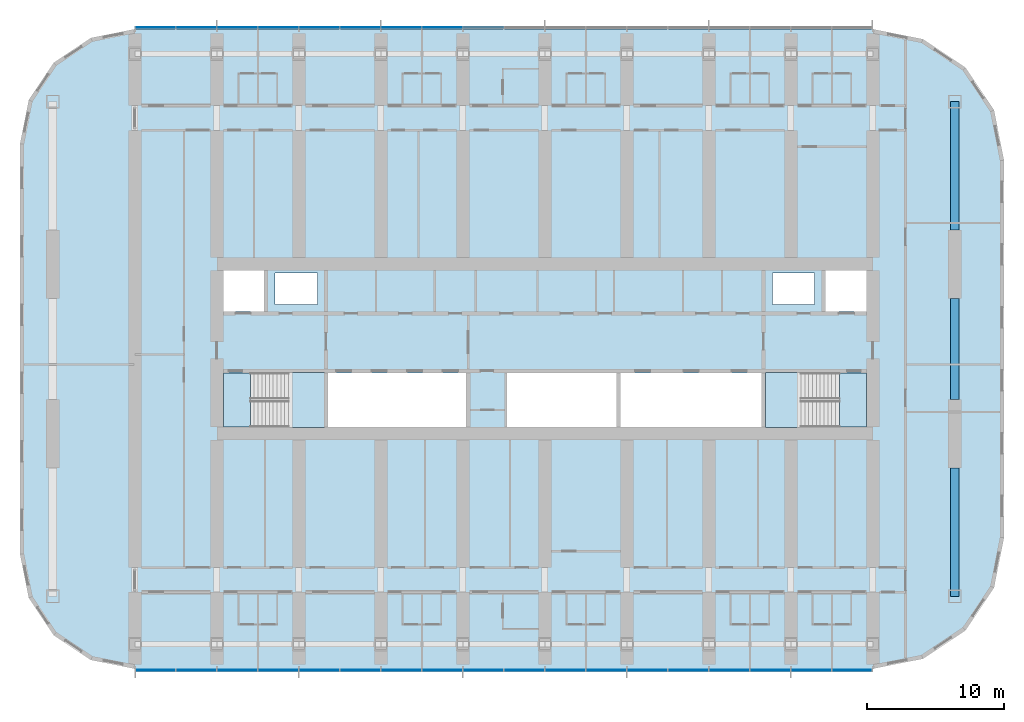
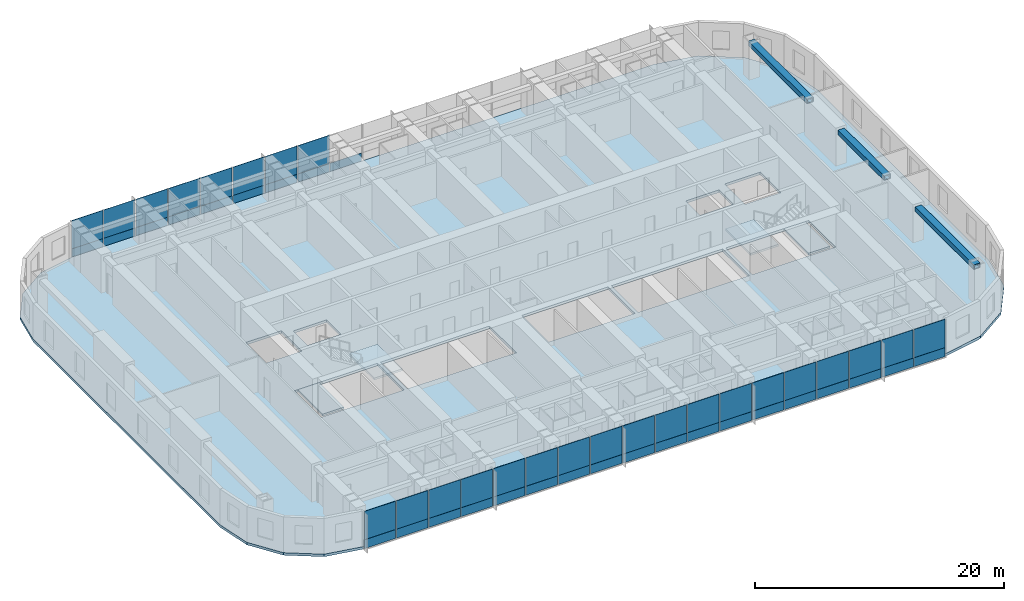
# One storey, part 6 of 21: 53 plates, 5 slabs, 3 beams, 4 elements without a shape of their own.
"""IFC4 building model written with IfcOpenShell, lengths in metres."""

from ifc_helpers import new_model, si_unit, direction, frame, origin, origin_2d, place, context, subcontext, project, spatial, polyline, rectangle, hollow_rectangle, outline, extrude, material, layer, layer_set, material_profile, profile_set, type_object, element, aggregate, save


model = new_model("IFC4")

# Units and contexts
model_context = context("Model", 3, precision=1e-05, world=origin(), true_north=direction((0.0, 1.0)))
body_context = subcontext(model_context, "Body", "Model", "MODEL_VIEW")
ifc_project = project(units=[si_unit("LENGTHUNIT", "METRE"), si_unit("AREAUNIT", "SQUARE_METRE"), si_unit("VOLUMEUNIT", "CUBIC_METRE"), si_unit("PLANEANGLEUNIT", "RADIAN"), si_unit("MASSUNIT", "GRAM", prefix="KILO")], contexts=[model_context])

# Site, building, storey
site_placement = place(None, origin())
site = spatial("IfcSite", under=ifc_project, at=site_placement, CompositionType="ELEMENT")
building_placement = place(site_placement, origin())
building = spatial("IfcBuilding", under=site, at=building_placement, Name="Orbita Commons", CompositionType="ELEMENT")
storey_placement = place(building_placement, frame((0.0, 0.0, 91.89990234375)))
storey = spatial("IfcBuildingStorey", under=building, at=storey_placement, Name="L22", CompositionType="ELEMENT", Elevation=91.89990234375)

# Beams
ifc_material_1 = material(Name="Steel ASTM A572 Gr 50 welded plate", Category="steel")
ifc_material_profile = material_profile(ifc_material_1, hollow_rectangle(XDim=0.60009765625, YDim=0.449951171875, WallThickness=0.06005859375, at=origin_2d()), Name="BOX 450x600x60")
ifc_profile_set = profile_set([ifc_material_profile], Name="Steel ASTM A572 Gr 50 welded plate")
beam_type = type_object("IfcBeamType", Name="Steel end frame link BOX 450x600x60", PredefinedType="BEAM", material=ifc_profile_set)
beam_1_placement = place(storey_placement, frame((72.0, 13.89990234375, 3.275146484375), z_axis=(0.0, 1.0, 0.0), x_axis=(-1.0, 0.0, 0.0)))
element("IfcBeam", 1, at=beam_1_placement, inside=storey, type_object=beam_type, Name="End frame beam 13 B-C L22", PredefinedType="BEAM", context=body_context, shape_type="SweptSolid", body=[
    extrude(hollow_rectangle(XDim=0.60009765625, YDim=0.449951171875, WallThickness=0.06005859375, at=origin_2d()), origin(), (0.0, 0.0, 1.0), 9.400146484375),
])
beam_2_placement = place(storey_placement, frame((72.0, 28.300048828125, 3.275146484375), z_axis=(0.0, 1.0, 0.0), x_axis=(-1.0, 0.0, 0.0)))
element("IfcBeam", 2, at=beam_2_placement, inside=storey, type_object=beam_type, Name="End frame beam 13 C-D L22", PredefinedType="BEAM", context=body_context, shape_type="SweptSolid", body=[
    extrude(hollow_rectangle(XDim=0.60009765625, YDim=0.449951171875, WallThickness=0.06005859375, at=origin_2d()), origin(), (0.0, 0.0, 1.0), 7.39990234375),
])
beam_3_placement = place(storey_placement, frame((72.0, 40.699951171875, 3.275146484375), z_axis=(0.0, 1.0, 0.0), x_axis=(-1.0, 0.0, 0.0)))
element("IfcBeam", 3, at=beam_3_placement, inside=storey, type_object=beam_type, Name="End frame beam 13 D-E L22", PredefinedType="BEAM", context=body_context, shape_type="SweptSolid", body=[
    extrude(hollow_rectangle(XDim=0.60009765625, YDim=0.449951171875, WallThickness=0.06005859375, at=origin_2d()), origin(), (0.0, 0.0, 1.0), 9.400146484375),
])

# Slab
ifc_material_2 = material(Name="Concrete C40/50", Category="concrete")
ifc_layer_1 = layer(ifc_material_2, 0.25)
ifc_layer_set_1 = layer_set([ifc_layer_1], Name="Concrete C40/50")
slab_type_1 = type_object("IfcSlabType", Name="Floor slab 250", PredefinedType="FLOOR", material=ifc_layer_set_1)
slab_1_placement = place(storey_placement, frame((0.0, 0.0, -0.25)))
element("IfcSlab", 4, at=slab_1_placement, inside=storey, type_object=slab_type_1, Name="Floor slab L22", PredefinedType="FLOOR", context=body_context, shape_type="SweptSolid", body=[
    extrude(outline(polyline([(66.0, 8.60009765625), (69.673828125, 9.330810546875), (72.788330078125, 11.411865234375), (74.869140625, 14.526123046875), (75.60009765625, 18.199951171875), (75.60009765625, 45.800048828125), (74.869140625, 49.473876953125), (72.788330078125, 52.588134765625), (69.673828125, 54.669189453125), (66.0, 55.39990234375), (12.0, 55.39990234375), (8.785400390625, 54.760498046875), (6.060302734375, 52.939697265625), (4.239501953125, 50.214599609375), (3.60009765625, 47.0), (3.60009765625, 17.0), (4.239501953125, 13.785400390625), (6.060302734375, 11.060302734375), (8.785400390625, 9.239501953125), (12.0, 8.60009765625), (66.0, 8.60009765625)]), holes=[polyline([(18.14990234375, 25.949951171875), (25.85009765625, 25.949951171875), (25.85009765625, 30.25), (18.14990234375, 30.25), (18.14990234375, 25.949951171875)]), polyline([(58.14990234375, 25.949951171875), (65.85009765625, 25.949951171875), (65.85009765625, 30.25), (58.14990234375, 30.25), (58.14990234375, 25.949951171875)]), polyline([(18.14990234375, 34.75), (21.449951171875, 34.75), (21.449951171875, 38.050048828125), (18.14990234375, 38.050048828125), (18.14990234375, 34.75)]), polyline([(62.550048828125, 34.75), (65.85009765625, 34.75), (65.85009765625, 38.050048828125), (62.550048828125, 38.050048828125), (62.550048828125, 34.75)]), polyline([(22.25, 35.25), (25.35009765625, 35.25), (25.35009765625, 37.550048828125), (22.25, 37.550048828125), (22.25, 35.25)]), polyline([(58.64990234375, 35.25), (61.75, 35.25), (61.75, 37.550048828125), (58.64990234375, 37.550048828125), (58.64990234375, 35.25)]), polyline([(26.14990234375, 25.949951171875), (36.25, 25.949951171875), (36.25, 30.25), (26.14990234375, 30.25), (26.14990234375, 25.949951171875)]), polyline([(39.25, 25.949951171875), (47.25, 25.949951171875), (47.25, 30.25), (39.25, 30.25), (39.25, 25.949951171875)]), polyline([(47.550048828125, 25.949951171875), (57.85009765625, 25.949951171875), (57.85009765625, 30.25), (47.550048828125, 30.25), (47.550048828125, 25.949951171875)])]), origin(), (0.0, 0.0, 1.0), 0.25),
])

# Curtain wall, plates
ifc_material_3 = material(Name="Anodised aluminium frame, pale silver", Category="aluminium")
curtain_wall_type = type_object("IfcCurtainWallType", Name="Unitised curtain wall CW-T, vision and spandrel", PredefinedType="NOTDEFINED", material=ifc_material_3)
curtain_wall_1_placement = place(storey_placement, origin())
curtain_wall_1 = element("IfcCurtainWall", 5, at=curtain_wall_1_placement, inside=storey, type_object=curtain_wall_type, Name="Curtain wall south L22", PredefinedType="NOTDEFINED")
ifc_material_4 = material(Name="Anodised aluminium sheet on mineral wool", Category="aluminium")
ifc_layer_2 = layer(ifc_material_4, 0.050048828125)
ifc_layer_set_2 = layer_set([ifc_layer_2], Name="Anodised aluminium sheet on mineral wool")
plate_type_1 = type_object("IfcPlateType", Name="Spandrel panel, pale aluminium over insulation 50", PredefinedType="CURTAIN_PANEL", material=ifc_layer_set_2)
plate_1_placement = place(storey_placement, frame((13.52001953125, 8.489990234375, -0.14990234375), z_axis=(0.0, 0.0, 1.0), x_axis=(1.0, 0.0, 0.0)))
plate_1 = element("IfcPlate", 6, at=plate_1_placement, type_object=plate_type_1, Name="Panel 1.1 CW-L22-S", PredefinedType="CURTAIN_PANEL", context=body_context, shape_type="SweptSolid", body=[
    extrude(rectangle(XDim=2.8798828125, YDim=0.050048828125, at=origin_2d()), origin(), (0.0, 0.0, 1.0), 0.875),
])
plate_2_placement = place(storey_placement, frame((16.5, 8.489990234375, -0.14990234375), z_axis=(0.0, 0.0, 1.0), x_axis=(1.0, 0.0, 0.0)))
plate_2 = element("IfcPlate", 7, at=plate_2_placement, type_object=plate_type_1, Name="Panel 2.1 CW-L22-S", PredefinedType="CURTAIN_PANEL", context=body_context, shape_type="SweptSolid", body=[
    extrude(rectangle(XDim=2.919921875, YDim=0.050048828125, at=origin_2d()), origin(), (0.0, 0.0, 1.0), 0.875),
])
plate_3_placement = place(storey_placement, frame((19.5, 8.489990234375, -0.14990234375), z_axis=(0.0, 0.0, 1.0), x_axis=(1.0, 0.0, 0.0)))
plate_3 = element("IfcPlate", 8, at=plate_3_placement, type_object=plate_type_1, Name="Panel 3.1 CW-L22-S", PredefinedType="CURTAIN_PANEL", context=body_context, shape_type="SweptSolid", body=[
    extrude(rectangle(XDim=2.919921875, YDim=0.050048828125, at=origin_2d()), origin(), (0.0, 0.0, 1.0), 0.875),
])
plate_4_placement = place(storey_placement, frame((22.5, 8.489990234375, -0.14990234375), z_axis=(0.0, 0.0, 1.0), x_axis=(1.0, 0.0, 0.0)))
plate_4 = element("IfcPlate", 9, at=plate_4_placement, type_object=plate_type_1, Name="Panel 4.1 CW-L22-S", PredefinedType="CURTAIN_PANEL", context=body_context, shape_type="SweptSolid", body=[
    extrude(rectangle(XDim=2.919921875, YDim=0.050048828125, at=origin_2d()), origin(), (0.0, 0.0, 1.0), 0.875),
])
plate_5_placement = place(storey_placement, frame((25.5, 8.489990234375, -0.14990234375), z_axis=(0.0, 0.0, 1.0), x_axis=(1.0, 0.0, 0.0)))
plate_5 = element("IfcPlate", 10, at=plate_5_placement, type_object=plate_type_1, Name="Panel 5.1 CW-L22-S", PredefinedType="CURTAIN_PANEL", context=body_context, shape_type="SweptSolid", body=[
    extrude(rectangle(XDim=2.919921875, YDim=0.050048828125, at=origin_2d()), origin(), (0.0, 0.0, 1.0), 0.875),
])
plate_6_placement = place(storey_placement, frame((28.5, 8.489990234375, -0.14990234375), z_axis=(0.0, 0.0, 1.0), x_axis=(1.0, 0.0, 0.0)))
plate_6 = element("IfcPlate", 11, at=plate_6_placement, type_object=plate_type_1, Name="Panel 6.1 CW-L22-S", PredefinedType="CURTAIN_PANEL", context=body_context, shape_type="SweptSolid", body=[
    extrude(rectangle(XDim=2.919921875, YDim=0.050048828125, at=origin_2d()), origin(), (0.0, 0.0, 1.0), 0.875),
])
plate_7_placement = place(storey_placement, frame((31.5, 8.489990234375, -0.14990234375), z_axis=(0.0, 0.0, 1.0), x_axis=(1.0, 0.0, 0.0)))
plate_7 = element("IfcPlate", 12, at=plate_7_placement, type_object=plate_type_1, Name="Panel 7.1 CW-L22-S", PredefinedType="CURTAIN_PANEL", context=body_context, shape_type="SweptSolid", body=[
    extrude(rectangle(XDim=2.919921875, YDim=0.050048828125, at=origin_2d()), origin(), (0.0, 0.0, 1.0), 0.875),
])
plate_8_placement = place(storey_placement, frame((34.5, 8.489990234375, -0.14990234375), z_axis=(0.0, 0.0, 1.0), x_axis=(1.0, 0.0, 0.0)))
plate_8 = element("IfcPlate", 13, at=plate_8_placement, type_object=plate_type_1, Name="Panel 8.1 CW-L22-S", PredefinedType="CURTAIN_PANEL", context=body_context, shape_type="SweptSolid", body=[
    extrude(rectangle(XDim=2.919921875, YDim=0.050048828125, at=origin_2d()), origin(), (0.0, 0.0, 1.0), 0.875),
])
plate_9_placement = place(storey_placement, frame((37.5, 8.489990234375, -0.14990234375), z_axis=(0.0, 0.0, 1.0), x_axis=(1.0, 0.0, 0.0)))
plate_9 = element("IfcPlate", 14, at=plate_9_placement, type_object=plate_type_1, Name="Panel 9.1 CW-L22-S", PredefinedType="CURTAIN_PANEL", context=body_context, shape_type="SweptSolid", body=[
    extrude(rectangle(XDim=2.919921875, YDim=0.050048828125, at=origin_2d()), origin(), (0.0, 0.0, 1.0), 0.875),
])
plate_10_placement = place(storey_placement, frame((40.5, 8.489990234375, -0.14990234375), z_axis=(0.0, 0.0, 1.0), x_axis=(1.0, 0.0, 0.0)))
plate_10 = element("IfcPlate", 15, at=plate_10_placement, type_object=plate_type_1, Name="Panel 10.1 CW-L22-S", PredefinedType="CURTAIN_PANEL", context=body_context, shape_type="SweptSolid", body=[
    extrude(rectangle(XDim=2.919921875, YDim=0.050048828125, at=origin_2d()), origin(), (0.0, 0.0, 1.0), 0.875),
])
plate_11_placement = place(storey_placement, frame((43.5, 8.489990234375, -0.14990234375), z_axis=(0.0, 0.0, 1.0), x_axis=(1.0, 0.0, 0.0)))
plate_11 = element("IfcPlate", 16, at=plate_11_placement, type_object=plate_type_1, Name="Panel 11.1 CW-L22-S", PredefinedType="CURTAIN_PANEL", context=body_context, shape_type="SweptSolid", body=[
    extrude(rectangle(XDim=2.919921875, YDim=0.050048828125, at=origin_2d()), origin(), (0.0, 0.0, 1.0), 0.875),
])
plate_12_placement = place(storey_placement, frame((46.5, 8.489990234375, -0.14990234375), z_axis=(0.0, 0.0, 1.0), x_axis=(1.0, 0.0, 0.0)))
plate_12 = element("IfcPlate", 17, at=plate_12_placement, type_object=plate_type_1, Name="Panel 12.1 CW-L22-S", PredefinedType="CURTAIN_PANEL", context=body_context, shape_type="SweptSolid", body=[
    extrude(rectangle(XDim=2.919921875, YDim=0.050048828125, at=origin_2d()), origin(), (0.0, 0.0, 1.0), 0.875),
])
plate_13_placement = place(storey_placement, frame((49.5, 8.489990234375, -0.14990234375), z_axis=(0.0, 0.0, 1.0), x_axis=(1.0, 0.0, 0.0)))
plate_13 = element("IfcPlate", 18, at=plate_13_placement, type_object=plate_type_1, Name="Panel 13.1 CW-L22-S", PredefinedType="CURTAIN_PANEL", context=body_context, shape_type="SweptSolid", body=[
    extrude(rectangle(XDim=2.919921875, YDim=0.050048828125, at=origin_2d()), origin(), (0.0, 0.0, 1.0), 0.875),
])
plate_14_placement = place(storey_placement, frame((52.5, 8.489990234375, -0.14990234375), z_axis=(0.0, 0.0, 1.0), x_axis=(1.0, 0.0, 0.0)))
plate_14 = element("IfcPlate", 19, at=plate_14_placement, type_object=plate_type_1, Name="Panel 14.1 CW-L22-S", PredefinedType="CURTAIN_PANEL", context=body_context, shape_type="SweptSolid", body=[
    extrude(rectangle(XDim=2.919921875, YDim=0.050048828125, at=origin_2d()), origin(), (0.0, 0.0, 1.0), 0.875),
])
plate_15_placement = place(storey_placement, frame((55.5, 8.489990234375, -0.14990234375), z_axis=(0.0, 0.0, 1.0), x_axis=(1.0, 0.0, 0.0)))
plate_15 = element("IfcPlate", 20, at=plate_15_placement, type_object=plate_type_1, Name="Panel 15.1 CW-L22-S", PredefinedType="CURTAIN_PANEL", context=body_context, shape_type="SweptSolid", body=[
    extrude(rectangle(XDim=2.919921875, YDim=0.050048828125, at=origin_2d()), origin(), (0.0, 0.0, 1.0), 0.875),
])
plate_16_placement = place(storey_placement, frame((58.5, 8.489990234375, -0.14990234375), z_axis=(0.0, 0.0, 1.0), x_axis=(1.0, 0.0, 0.0)))
plate_16 = element("IfcPlate", 21, at=plate_16_placement, type_object=plate_type_1, Name="Panel 16.1 CW-L22-S", PredefinedType="CURTAIN_PANEL", context=body_context, shape_type="SweptSolid", body=[
    extrude(rectangle(XDim=2.919921875, YDim=0.050048828125, at=origin_2d()), origin(), (0.0, 0.0, 1.0), 0.875),
])
plate_17_placement = place(storey_placement, frame((61.5, 8.489990234375, -0.14990234375), z_axis=(0.0, 0.0, 1.0), x_axis=(1.0, 0.0, 0.0)))
plate_17 = element("IfcPlate", 22, at=plate_17_placement, type_object=plate_type_1, Name="Panel 17.1 CW-L22-S", PredefinedType="CURTAIN_PANEL", context=body_context, shape_type="SweptSolid", body=[
    extrude(rectangle(XDim=2.919921875, YDim=0.050048828125, at=origin_2d()), origin(), (0.0, 0.0, 1.0), 0.875),
])
plate_18_placement = place(storey_placement, frame((64.47998046875, 8.489990234375, -0.14990234375), z_axis=(0.0, 0.0, 1.0), x_axis=(1.0, 0.0, 0.0)))
plate_18 = element("IfcPlate", 23, at=plate_18_placement, type_object=plate_type_1, Name="Panel 18.1 CW-L22-S", PredefinedType="CURTAIN_PANEL", context=body_context, shape_type="SweptSolid", body=[
    extrude(rectangle(XDim=2.8798828125, YDim=0.050048828125, at=origin_2d()), origin(), (0.0, 0.0, 1.0), 0.875),
])

curtain_wall_2_placement = place(storey_placement, origin())
curtain_wall_2 = element("IfcCurtainWall", 24, at=curtain_wall_2_placement, inside=storey, type_object=curtain_wall_type, Name="Curtain wall north L22", PredefinedType="NOTDEFINED")
plate_19_placement = place(storey_placement, frame((37.5, 55.510009765625, -0.14990234375), z_axis=(0.0, 0.0, 1.0), x_axis=(-1.0, 0.0, 0.0)))
plate_19 = element("IfcPlate", 25, at=plate_19_placement, type_object=plate_type_1, Name="Panel 10.1 CW-L22-N", PredefinedType="CURTAIN_PANEL", context=body_context, shape_type="SweptSolid", body=[
    extrude(rectangle(XDim=2.919921875, YDim=0.050048828125, at=origin_2d()), origin(), (0.0, 0.0, 1.0), 0.875),
])
plate_20_placement = place(storey_placement, frame((34.5, 55.510009765625, -0.14990234375), z_axis=(0.0, 0.0, 1.0), x_axis=(-1.0, 0.0, 0.0)))
plate_20 = element("IfcPlate", 26, at=plate_20_placement, type_object=plate_type_1, Name="Panel 11.1 CW-L22-N", PredefinedType="CURTAIN_PANEL", context=body_context, shape_type="SweptSolid", body=[
    extrude(rectangle(XDim=2.919921875, YDim=0.050048828125, at=origin_2d()), origin(), (0.0, 0.0, 1.0), 0.875),
])
plate_21_placement = place(storey_placement, frame((31.5, 55.510009765625, -0.14990234375), z_axis=(0.0, 0.0, 1.0), x_axis=(-1.0, 0.0, 0.0)))
plate_21 = element("IfcPlate", 27, at=plate_21_placement, type_object=plate_type_1, Name="Panel 12.1 CW-L22-N", PredefinedType="CURTAIN_PANEL", context=body_context, shape_type="SweptSolid", body=[
    extrude(rectangle(XDim=2.919921875, YDim=0.050048828125, at=origin_2d()), origin(), (0.0, 0.0, 1.0), 0.875),
])
plate_22_placement = place(storey_placement, frame((28.5, 55.510009765625, -0.14990234375), z_axis=(0.0, 0.0, 1.0), x_axis=(-1.0, 0.0, 0.0)))
plate_22 = element("IfcPlate", 28, at=plate_22_placement, type_object=plate_type_1, Name="Panel 13.1 CW-L22-N", PredefinedType="CURTAIN_PANEL", context=body_context, shape_type="SweptSolid", body=[
    extrude(rectangle(XDim=2.919921875, YDim=0.050048828125, at=origin_2d()), origin(), (0.0, 0.0, 1.0), 0.875),
])
plate_23_placement = place(storey_placement, frame((25.5, 55.510009765625, -0.14990234375), z_axis=(0.0, 0.0, 1.0), x_axis=(-1.0, 0.0, 0.0)))
plate_23 = element("IfcPlate", 29, at=plate_23_placement, type_object=plate_type_1, Name="Panel 14.1 CW-L22-N", PredefinedType="CURTAIN_PANEL", context=body_context, shape_type="SweptSolid", body=[
    extrude(rectangle(XDim=2.919921875, YDim=0.050048828125, at=origin_2d()), origin(), (0.0, 0.0, 1.0), 0.875),
])
plate_24_placement = place(storey_placement, frame((22.5, 55.510009765625, -0.14990234375), z_axis=(0.0, 0.0, 1.0), x_axis=(-1.0, 0.0, 0.0)))
plate_24 = element("IfcPlate", 30, at=plate_24_placement, type_object=plate_type_1, Name="Panel 15.1 CW-L22-N", PredefinedType="CURTAIN_PANEL", context=body_context, shape_type="SweptSolid", body=[
    extrude(rectangle(XDim=2.919921875, YDim=0.050048828125, at=origin_2d()), origin(), (0.0, 0.0, 1.0), 0.875),
])
plate_25_placement = place(storey_placement, frame((19.5, 55.510009765625, -0.14990234375), z_axis=(0.0, 0.0, 1.0), x_axis=(-1.0, 0.0, 0.0)))
plate_25 = element("IfcPlate", 31, at=plate_25_placement, type_object=plate_type_1, Name="Panel 16.1 CW-L22-N", PredefinedType="CURTAIN_PANEL", context=body_context, shape_type="SweptSolid", body=[
    extrude(rectangle(XDim=2.919921875, YDim=0.050048828125, at=origin_2d()), origin(), (0.0, 0.0, 1.0), 0.875),
])
plate_26_placement = place(storey_placement, frame((16.5, 55.510009765625, -0.14990234375), z_axis=(0.0, 0.0, 1.0), x_axis=(-1.0, 0.0, 0.0)))
plate_26 = element("IfcPlate", 32, at=plate_26_placement, type_object=plate_type_1, Name="Panel 17.1 CW-L22-N", PredefinedType="CURTAIN_PANEL", context=body_context, shape_type="SweptSolid", body=[
    extrude(rectangle(XDim=2.919921875, YDim=0.050048828125, at=origin_2d()), origin(), (0.0, 0.0, 1.0), 0.875),
])
plate_27_placement = place(storey_placement, frame((13.52001953125, 55.510009765625, -0.14990234375), z_axis=(0.0, 0.0, 1.0), x_axis=(-1.0, 0.0, 0.0)))
plate_27 = element("IfcPlate", 33, at=plate_27_placement, type_object=plate_type_1, Name="Panel 18.1 CW-L22-N", PredefinedType="CURTAIN_PANEL", context=body_context, shape_type="SweptSolid", body=[
    extrude(rectangle(XDim=2.8798828125, YDim=0.050048828125, at=origin_2d()), origin(), (0.0, 0.0, 1.0), 0.875),
])

# Stair, slabs
ifc_material_5 = material(Name="Precast concrete C40/50", Category="concrete")
stair_type_1 = type_object("IfcStairType", Name="Exit stair S1 2 flights 11 risers 170", PredefinedType="HALF_TURN_STAIR", material=ifc_material_5)
stair_1_placement = place(storey_placement, origin())
stair_1 = element("IfcStair", 34, at=stair_1_placement, inside=storey, type_object=stair_type_1, Name="Exit stair S1 L22", PredefinedType="HALF_TURN_STAIR")
ifc_material_6 = material(Name="Concrete C40/50", Category="concrete")
ifc_layer_3 = layer(ifc_material_6, 0.199951171875)
ifc_layer_set_3 = layer_set([ifc_layer_3], Name="Concrete C40/50")
slab_type_2 = type_object("IfcSlabType", Name="Stair landing 200", PredefinedType="LANDING", material=ifc_layer_set_3)
slab_2_placement = place(storey_placement, frame((0.0, 0.0, -0.199951171875)))
slab_2 = element("IfcSlab", 35, at=slab_2_placement, type_object=slab_type_2, Name="S1 landing 1", PredefinedType="LANDING", context=body_context, shape_type="SweptSolid", body=[
    extrude(outline(polyline([(18.47509765625, 26.27490234375), (20.449951171875, 26.27490234375), (20.449951171875, 30.25), (18.47509765625, 30.25), (18.47509765625, 26.27490234375)])), origin(), (0.0, 0.0, 1.0), 0.199951171875),
])
slab_3_placement = place(storey_placement, frame((0.0, 0.0, 1.675048828125)))
slab_3 = element("IfcSlab", 36, at=slab_3_placement, type_object=slab_type_2, Name="S1 landing 2", PredefinedType="LANDING", context=body_context, shape_type="SweptSolid", body=[
    extrude(outline(polyline([(23.25, 26.260009765625), (25.864990234375, 26.260009765625), (25.864990234375, 30.264892578125), (23.25, 30.264892578125), (23.25, 26.260009765625)])), origin(), (0.0, 0.0, 1.0), 0.199951171875),
])
aggregate(stair_1, [slab_2, slab_3])

ifc_material_7 = material(Name="Precast concrete C40/50", Category="concrete")
stair_type_2 = type_object("IfcStairType", Name="Exit stair S2 2 flights 11 risers 170", PredefinedType="HALF_TURN_STAIR", material=ifc_material_7)
stair_2_placement = place(storey_placement, origin())
stair_2 = element("IfcStair", 37, at=stair_2_placement, inside=storey, type_object=stair_type_2, Name="Exit stair S2 L22", PredefinedType="HALF_TURN_STAIR")
slab_4_placement = place(storey_placement, frame((0.0, 0.0, -0.199951171875)))
slab_4 = element("IfcSlab", 38, at=slab_4_placement, type_object=slab_type_2, Name="S2 landing 1", PredefinedType="LANDING", context=body_context, shape_type="SweptSolid", body=[
    extrude(outline(polyline([(63.550048828125, 26.27490234375), (65.52490234375, 26.27490234375), (65.52490234375, 30.25), (63.550048828125, 30.25), (63.550048828125, 26.27490234375)])), origin(), (0.0, 0.0, 1.0), 0.199951171875),
])
slab_5_placement = place(storey_placement, frame((0.0, 0.0, 1.675048828125)))
slab_5 = element("IfcSlab", 39, at=slab_5_placement, type_object=slab_type_2, Name="S2 landing 2", PredefinedType="LANDING", context=body_context, shape_type="SweptSolid", body=[
    extrude(outline(polyline([(58.135009765625, 26.260009765625), (60.75, 26.260009765625), (60.75, 30.264892578125), (58.135009765625, 30.264892578125), (58.135009765625, 26.260009765625)])), origin(), (0.0, 0.0, 1.0), 0.199951171875),
])
aggregate(stair_2, [slab_4, slab_5])

# Plate
ifc_material_8 = material(Name="Clear double glazing", Category="glass")
ifc_layer_4 = layer(ifc_material_8, 0.031982421875)
ifc_layer_set_4 = layer_set([ifc_layer_4], Name="Clear double glazing")
plate_type_2 = type_object("IfcPlateType", Name="Vision panel, clear double glazing 32", PredefinedType="CURTAIN_PANEL", material=ifc_layer_set_4)
plate_28_placement = place(storey_placement, frame((13.52001953125, 8.489990234375, 0.72509765625), z_axis=(0.0, 0.0, 1.0), x_axis=(1.0, 0.0, 0.0)))
plate_28 = element("IfcPlate", 40, at=plate_28_placement, type_object=plate_type_2, Name="Panel 1.2 CW-L22-S", PredefinedType="CURTAIN_PANEL", context=body_context, shape_type="SweptSolid", body=[
    extrude(rectangle(XDim=2.8798828125, YDim=0.031982421875, at=origin_2d()), origin(), (0.0, 0.0, 1.0), 2.77490234375),
])

plate_29_placement = place(storey_placement, frame((16.5, 8.489990234375, 0.72509765625), z_axis=(0.0, 0.0, 1.0), x_axis=(1.0, 0.0, 0.0)))
plate_29 = element("IfcPlate", 41, at=plate_29_placement, type_object=plate_type_2, Name="Panel 2.2 CW-L22-S", PredefinedType="CURTAIN_PANEL", context=body_context, shape_type="SweptSolid", body=[
    extrude(rectangle(XDim=2.919921875, YDim=0.031982421875, at=origin_2d()), origin(), (0.0, 0.0, 1.0), 2.77490234375),
])

plate_30_placement = place(storey_placement, frame((19.5, 8.489990234375, 0.72509765625), z_axis=(0.0, 0.0, 1.0), x_axis=(1.0, 0.0, 0.0)))
plate_30 = element("IfcPlate", 42, at=plate_30_placement, type_object=plate_type_2, Name="Panel 3.2 CW-L22-S", PredefinedType="CURTAIN_PANEL", context=body_context, shape_type="SweptSolid", body=[
    extrude(rectangle(XDim=2.919921875, YDim=0.031982421875, at=origin_2d()), origin(), (0.0, 0.0, 1.0), 2.77490234375),
])

plate_31_placement = place(storey_placement, frame((22.5, 8.489990234375, 0.72509765625), z_axis=(0.0, 0.0, 1.0), x_axis=(1.0, 0.0, 0.0)))
plate_31 = element("IfcPlate", 43, at=plate_31_placement, type_object=plate_type_2, Name="Panel 4.2 CW-L22-S", PredefinedType="CURTAIN_PANEL", context=body_context, shape_type="SweptSolid", body=[
    extrude(rectangle(XDim=2.919921875, YDim=0.031982421875, at=origin_2d()), origin(), (0.0, 0.0, 1.0), 2.77490234375),
])

plate_32_placement = place(storey_placement, frame((25.5, 8.489990234375, 0.72509765625), z_axis=(0.0, 0.0, 1.0), x_axis=(1.0, 0.0, 0.0)))
plate_32 = element("IfcPlate", 44, at=plate_32_placement, type_object=plate_type_2, Name="Panel 5.2 CW-L22-S", PredefinedType="CURTAIN_PANEL", context=body_context, shape_type="SweptSolid", body=[
    extrude(rectangle(XDim=2.919921875, YDim=0.031982421875, at=origin_2d()), origin(), (0.0, 0.0, 1.0), 2.77490234375),
])

plate_33_placement = place(storey_placement, frame((28.5, 8.489990234375, 0.72509765625), z_axis=(0.0, 0.0, 1.0), x_axis=(1.0, 0.0, 0.0)))
plate_33 = element("IfcPlate", 45, at=plate_33_placement, type_object=plate_type_2, Name="Panel 6.2 CW-L22-S", PredefinedType="CURTAIN_PANEL", context=body_context, shape_type="SweptSolid", body=[
    extrude(rectangle(XDim=2.919921875, YDim=0.031982421875, at=origin_2d()), origin(), (0.0, 0.0, 1.0), 2.77490234375),
])

plate_34_placement = place(storey_placement, frame((31.5, 8.489990234375, 0.72509765625), z_axis=(0.0, 0.0, 1.0), x_axis=(1.0, 0.0, 0.0)))
plate_34 = element("IfcPlate", 46, at=plate_34_placement, type_object=plate_type_2, Name="Panel 7.2 CW-L22-S", PredefinedType="CURTAIN_PANEL", context=body_context, shape_type="SweptSolid", body=[
    extrude(rectangle(XDim=2.919921875, YDim=0.031982421875, at=origin_2d()), origin(), (0.0, 0.0, 1.0), 2.77490234375),
])

plate_35_placement = place(storey_placement, frame((34.5, 8.489990234375, 0.72509765625), z_axis=(0.0, 0.0, 1.0), x_axis=(1.0, 0.0, 0.0)))
plate_35 = element("IfcPlate", 47, at=plate_35_placement, type_object=plate_type_2, Name="Panel 8.2 CW-L22-S", PredefinedType="CURTAIN_PANEL", context=body_context, shape_type="SweptSolid", body=[
    extrude(rectangle(XDim=2.919921875, YDim=0.031982421875, at=origin_2d()), origin(), (0.0, 0.0, 1.0), 2.77490234375),
])

plate_36_placement = place(storey_placement, frame((37.5, 8.489990234375, 0.72509765625), z_axis=(0.0, 0.0, 1.0), x_axis=(1.0, 0.0, 0.0)))
plate_36 = element("IfcPlate", 48, at=plate_36_placement, type_object=plate_type_2, Name="Panel 9.2 CW-L22-S", PredefinedType="CURTAIN_PANEL", context=body_context, shape_type="SweptSolid", body=[
    extrude(rectangle(XDim=2.919921875, YDim=0.031982421875, at=origin_2d()), origin(), (0.0, 0.0, 1.0), 2.77490234375),
])

plate_37_placement = place(storey_placement, frame((40.5, 8.489990234375, 0.72509765625), z_axis=(0.0, 0.0, 1.0), x_axis=(1.0, 0.0, 0.0)))
plate_37 = element("IfcPlate", 49, at=plate_37_placement, type_object=plate_type_2, Name="Panel 10.2 CW-L22-S", PredefinedType="CURTAIN_PANEL", context=body_context, shape_type="SweptSolid", body=[
    extrude(rectangle(XDim=2.919921875, YDim=0.031982421875, at=origin_2d()), origin(), (0.0, 0.0, 1.0), 2.77490234375),
])

plate_38_placement = place(storey_placement, frame((43.5, 8.489990234375, 0.72509765625), z_axis=(0.0, 0.0, 1.0), x_axis=(1.0, 0.0, 0.0)))
plate_38 = element("IfcPlate", 50, at=plate_38_placement, type_object=plate_type_2, Name="Panel 11.2 CW-L22-S", PredefinedType="CURTAIN_PANEL", context=body_context, shape_type="SweptSolid", body=[
    extrude(rectangle(XDim=2.919921875, YDim=0.031982421875, at=origin_2d()), origin(), (0.0, 0.0, 1.0), 2.77490234375),
])

plate_39_placement = place(storey_placement, frame((46.5, 8.489990234375, 0.72509765625), z_axis=(0.0, 0.0, 1.0), x_axis=(1.0, 0.0, 0.0)))
plate_39 = element("IfcPlate", 51, at=plate_39_placement, type_object=plate_type_2, Name="Panel 12.2 CW-L22-S", PredefinedType="CURTAIN_PANEL", context=body_context, shape_type="SweptSolid", body=[
    extrude(rectangle(XDim=2.919921875, YDim=0.031982421875, at=origin_2d()), origin(), (0.0, 0.0, 1.0), 2.77490234375),
])

plate_40_placement = place(storey_placement, frame((49.5, 8.489990234375, 0.72509765625), z_axis=(0.0, 0.0, 1.0), x_axis=(1.0, 0.0, 0.0)))
plate_40 = element("IfcPlate", 52, at=plate_40_placement, type_object=plate_type_2, Name="Panel 13.2 CW-L22-S", PredefinedType="CURTAIN_PANEL", context=body_context, shape_type="SweptSolid", body=[
    extrude(rectangle(XDim=2.919921875, YDim=0.031982421875, at=origin_2d()), origin(), (0.0, 0.0, 1.0), 2.77490234375),
])

plate_41_placement = place(storey_placement, frame((52.5, 8.489990234375, 0.72509765625), z_axis=(0.0, 0.0, 1.0), x_axis=(1.0, 0.0, 0.0)))
plate_41 = element("IfcPlate", 53, at=plate_41_placement, type_object=plate_type_2, Name="Panel 14.2 CW-L22-S", PredefinedType="CURTAIN_PANEL", context=body_context, shape_type="SweptSolid", body=[
    extrude(rectangle(XDim=2.919921875, YDim=0.031982421875, at=origin_2d()), origin(), (0.0, 0.0, 1.0), 2.77490234375),
])

plate_42_placement = place(storey_placement, frame((55.5, 8.489990234375, 0.72509765625), z_axis=(0.0, 0.0, 1.0), x_axis=(1.0, 0.0, 0.0)))
plate_42 = element("IfcPlate", 54, at=plate_42_placement, type_object=plate_type_2, Name="Panel 15.2 CW-L22-S", PredefinedType="CURTAIN_PANEL", context=body_context, shape_type="SweptSolid", body=[
    extrude(rectangle(XDim=2.919921875, YDim=0.031982421875, at=origin_2d()), origin(), (0.0, 0.0, 1.0), 2.77490234375),
])

plate_43_placement = place(storey_placement, frame((58.5, 8.489990234375, 0.72509765625), z_axis=(0.0, 0.0, 1.0), x_axis=(1.0, 0.0, 0.0)))
plate_43 = element("IfcPlate", 55, at=plate_43_placement, type_object=plate_type_2, Name="Panel 16.2 CW-L22-S", PredefinedType="CURTAIN_PANEL", context=body_context, shape_type="SweptSolid", body=[
    extrude(rectangle(XDim=2.919921875, YDim=0.031982421875, at=origin_2d()), origin(), (0.0, 0.0, 1.0), 2.77490234375),
])

plate_44_placement = place(storey_placement, frame((61.5, 8.489990234375, 0.72509765625), z_axis=(0.0, 0.0, 1.0), x_axis=(1.0, 0.0, 0.0)))
plate_44 = element("IfcPlate", 56, at=plate_44_placement, type_object=plate_type_2, Name="Panel 17.2 CW-L22-S", PredefinedType="CURTAIN_PANEL", context=body_context, shape_type="SweptSolid", body=[
    extrude(rectangle(XDim=2.919921875, YDim=0.031982421875, at=origin_2d()), origin(), (0.0, 0.0, 1.0), 2.77490234375),
])

plate_45_placement = place(storey_placement, frame((64.47998046875, 8.489990234375, 0.72509765625), z_axis=(0.0, 0.0, 1.0), x_axis=(1.0, 0.0, 0.0)))
plate_45 = element("IfcPlate", 57, at=plate_45_placement, type_object=plate_type_2, Name="Panel 18.2 CW-L22-S", PredefinedType="CURTAIN_PANEL", context=body_context, shape_type="SweptSolid", body=[
    extrude(rectangle(XDim=2.8798828125, YDim=0.031982421875, at=origin_2d()), origin(), (0.0, 0.0, 1.0), 2.77490234375),
])

aggregate(curtain_wall_1, [plate_1, plate_28, plate_2, plate_29, plate_3, plate_30, plate_4, plate_31, plate_5, plate_32, plate_6, plate_33, plate_7, plate_34, plate_8, plate_35, plate_9, plate_36, plate_10, plate_37, plate_11, plate_38, plate_12, plate_39, plate_13, plate_40, plate_14, plate_41, plate_15, plate_42, plate_16, plate_43, plate_17, plate_44, plate_18, plate_45])

plate_46_placement = place(storey_placement, frame((34.5, 55.510009765625, 0.72509765625), z_axis=(0.0, 0.0, 1.0), x_axis=(-1.0, 0.0, 0.0)))
plate_46 = element("IfcPlate", 58, at=plate_46_placement, type_object=plate_type_2, Name="Panel 11.2 CW-L22-N", PredefinedType="CURTAIN_PANEL", context=body_context, shape_type="SweptSolid", body=[
    extrude(rectangle(XDim=2.919921875, YDim=0.031982421875, at=origin_2d()), origin(), (0.0, 0.0, 1.0), 2.77490234375),
])

plate_47_placement = place(storey_placement, frame((31.5, 55.510009765625, 0.72509765625), z_axis=(0.0, 0.0, 1.0), x_axis=(-1.0, 0.0, 0.0)))
plate_47 = element("IfcPlate", 59, at=plate_47_placement, type_object=plate_type_2, Name="Panel 12.2 CW-L22-N", PredefinedType="CURTAIN_PANEL", context=body_context, shape_type="SweptSolid", body=[
    extrude(rectangle(XDim=2.919921875, YDim=0.031982421875, at=origin_2d()), origin(), (0.0, 0.0, 1.0), 2.77490234375),
])

plate_48_placement = place(storey_placement, frame((28.5, 55.510009765625, 0.72509765625), z_axis=(0.0, 0.0, 1.0), x_axis=(-1.0, 0.0, 0.0)))
plate_48 = element("IfcPlate", 60, at=plate_48_placement, type_object=plate_type_2, Name="Panel 13.2 CW-L22-N", PredefinedType="CURTAIN_PANEL", context=body_context, shape_type="SweptSolid", body=[
    extrude(rectangle(XDim=2.919921875, YDim=0.031982421875, at=origin_2d()), origin(), (0.0, 0.0, 1.0), 2.77490234375),
])

plate_49_placement = place(storey_placement, frame((25.5, 55.510009765625, 0.72509765625), z_axis=(0.0, 0.0, 1.0), x_axis=(-1.0, 0.0, 0.0)))
plate_49 = element("IfcPlate", 61, at=plate_49_placement, type_object=plate_type_2, Name="Panel 14.2 CW-L22-N", PredefinedType="CURTAIN_PANEL", context=body_context, shape_type="SweptSolid", body=[
    extrude(rectangle(XDim=2.919921875, YDim=0.031982421875, at=origin_2d()), origin(), (0.0, 0.0, 1.0), 2.77490234375),
])

plate_50_placement = place(storey_placement, frame((22.5, 55.510009765625, 0.72509765625), z_axis=(0.0, 0.0, 1.0), x_axis=(-1.0, 0.0, 0.0)))
plate_50 = element("IfcPlate", 62, at=plate_50_placement, type_object=plate_type_2, Name="Panel 15.2 CW-L22-N", PredefinedType="CURTAIN_PANEL", context=body_context, shape_type="SweptSolid", body=[
    extrude(rectangle(XDim=2.919921875, YDim=0.031982421875, at=origin_2d()), origin(), (0.0, 0.0, 1.0), 2.77490234375),
])

plate_51_placement = place(storey_placement, frame((19.5, 55.510009765625, 0.72509765625), z_axis=(0.0, 0.0, 1.0), x_axis=(-1.0, 0.0, 0.0)))
plate_51 = element("IfcPlate", 63, at=plate_51_placement, type_object=plate_type_2, Name="Panel 16.2 CW-L22-N", PredefinedType="CURTAIN_PANEL", context=body_context, shape_type="SweptSolid", body=[
    extrude(rectangle(XDim=2.919921875, YDim=0.031982421875, at=origin_2d()), origin(), (0.0, 0.0, 1.0), 2.77490234375),
])

plate_52_placement = place(storey_placement, frame((16.5, 55.510009765625, 0.72509765625), z_axis=(0.0, 0.0, 1.0), x_axis=(-1.0, 0.0, 0.0)))
plate_52 = element("IfcPlate", 64, at=plate_52_placement, type_object=plate_type_2, Name="Panel 17.2 CW-L22-N", PredefinedType="CURTAIN_PANEL", context=body_context, shape_type="SweptSolid", body=[
    extrude(rectangle(XDim=2.919921875, YDim=0.031982421875, at=origin_2d()), origin(), (0.0, 0.0, 1.0), 2.77490234375),
])

plate_53_placement = place(storey_placement, frame((13.52001953125, 55.510009765625, 0.72509765625), z_axis=(0.0, 0.0, 1.0), x_axis=(-1.0, 0.0, 0.0)))
plate_53 = element("IfcPlate", 65, at=plate_53_placement, type_object=plate_type_2, Name="Panel 18.2 CW-L22-N", PredefinedType="CURTAIN_PANEL", context=body_context, shape_type="SweptSolid", body=[
    extrude(rectangle(XDim=2.8798828125, YDim=0.031982421875, at=origin_2d()), origin(), (0.0, 0.0, 1.0), 2.77490234375),
])

aggregate(curtain_wall_2, [plate_19, plate_20, plate_46, plate_21, plate_47, plate_22, plate_48, plate_23, plate_49, plate_24, plate_50, plate_25, plate_51, plate_26, plate_52, plate_27, plate_53])

save(model, "model.ifc")
